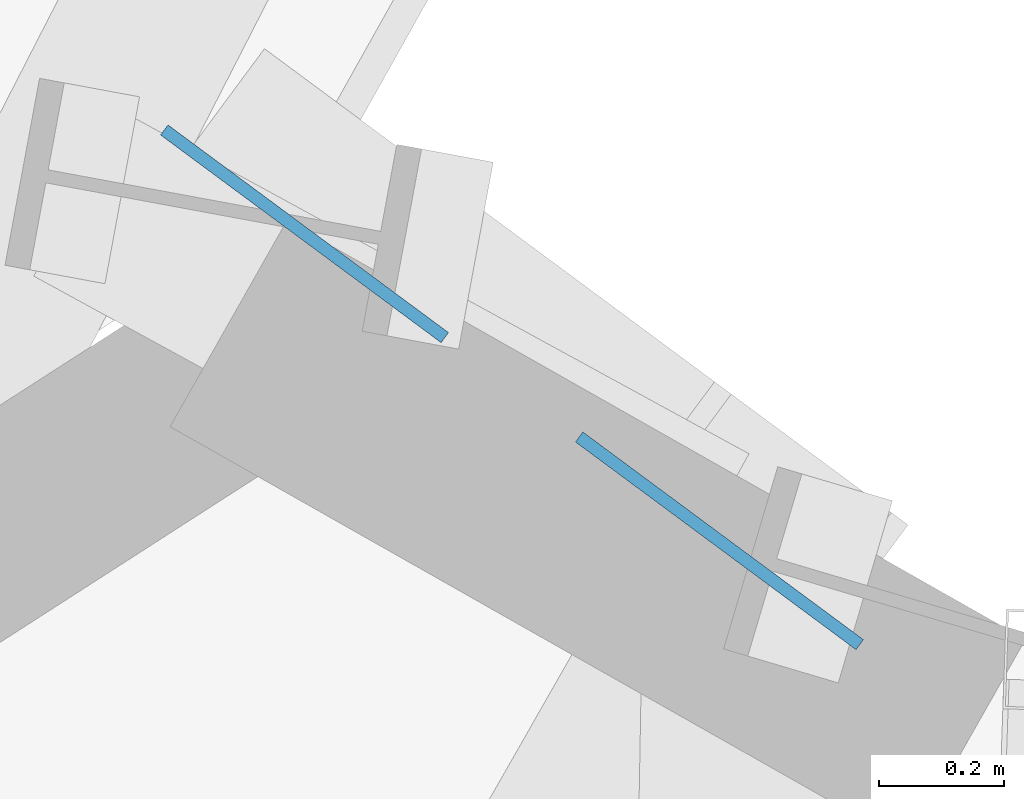
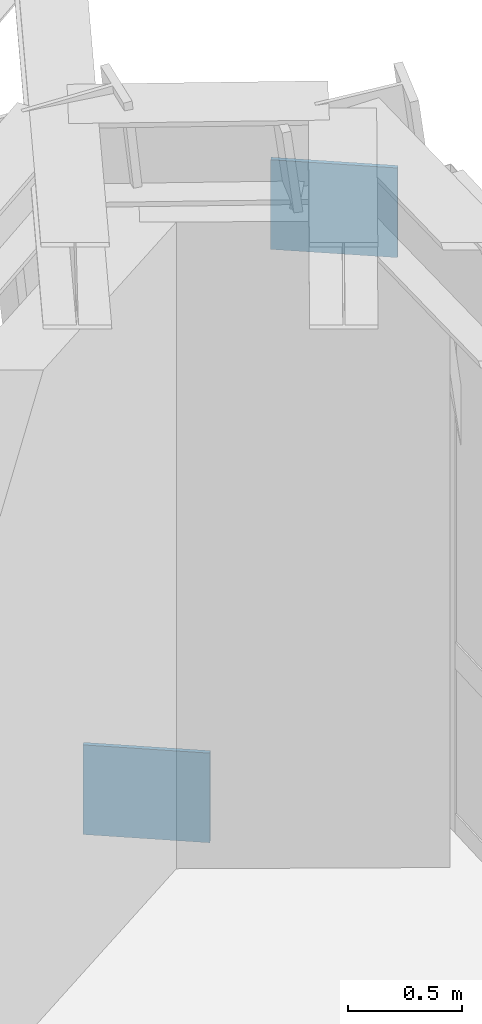
# One storey, part 16 of 22: 2 plates.
"""IFC4 building model written with IfcOpenShell, lengths in metres."""

from ifc_helpers import new_model, si_unit, direction, frame, origin, origin_2d, place, context, subcontext, project, spatial, rectangle, extrude, source, transform, mapped, material, type_object, element, save


model = new_model("IFC4")

# Units and contexts
model_context = context("Model", 3, precision=1e-05, world=origin(), true_north=direction((0.0, 1.0)))
body_context = subcontext(model_context, "Body", "Model", "MODEL_VIEW")
ifc_project = project(units=[si_unit("LENGTHUNIT", "METRE"), si_unit("AREAUNIT", "SQUARE_METRE"), si_unit("VOLUMEUNIT", "CUBIC_METRE"), si_unit("PLANEANGLEUNIT", "RADIAN"), si_unit("MASSUNIT", "GRAM", prefix="KILO")], contexts=[model_context])

# Site, building, storey
site_placement = place(None, origin())
site = spatial("IfcSite", under=ifc_project, at=site_placement, CompositionType="ELEMENT")
building_placement = place(site_placement, origin())
building = spatial("IfcBuilding", under=site, at=building_placement, Name="Olszyna Solenne Hotel", CompositionType="ELEMENT")
storey_placement = place(building_placement, frame((0.0, 0.0, 281.89990234375)))
storey = spatial("IfcBuildingStorey", under=building, at=storey_placement, Name="L75", CompositionType="ELEMENT", Elevation=281.89990234375)

# Plates
ifc_material = material(Name="Steel S355J2", Category="steel")
plate_type = type_object("IfcPlateType", Name="GP-ND2", PredefinedType="USERDEFINED", material=ifc_material)
shared_shape = source(origin(), body_context, "Body", "SweptSolid", [
    extrude(rectangle(XDim=0.56005859375, YDim=0.02001953125, at=origin_2d()), origin(), (0.0, 0.0, 1.0), 0.47998046875),
])
for number, where, z_axis, x_axis, name in (
    (1, (50.631591796875, 50.465087890625, -0.094482421875), (0.0, 0.0, 1.0), (0.803753032213, -0.59496307718, 0.0), "Brace end connection gusset plate GP-ND2 EP-BR-L75-1-1"),
    (2, (51.29736328125, 49.972412109375, 3.103515625), (0.0, 0.0, 1.0), (0.803753032213, -0.59496307718, 0.0), "Brace end connection gusset plate GP-ND2 EP-BR-L75-1-2"),
):
    element("IfcPlate", number, at=place(storey_placement, frame(where, z_axis=z_axis, x_axis=x_axis)), inside=storey, type_object=plate_type, Name=name, ObjectType="GUSSET_PLATE", PredefinedType="USERDEFINED", context=body_context, shape_type="MappedRepresentation", body=[
        mapped(shared_shape, transform((0.0, 0.0, 0.0), x_axis=(1.0, 0.0, 0.0), y_axis=(0.0, 1.0, 0.0), z_axis=(0.0, 0.0, 1.0), scale=1.0)),
    ])

save(model, "model.ifc")
